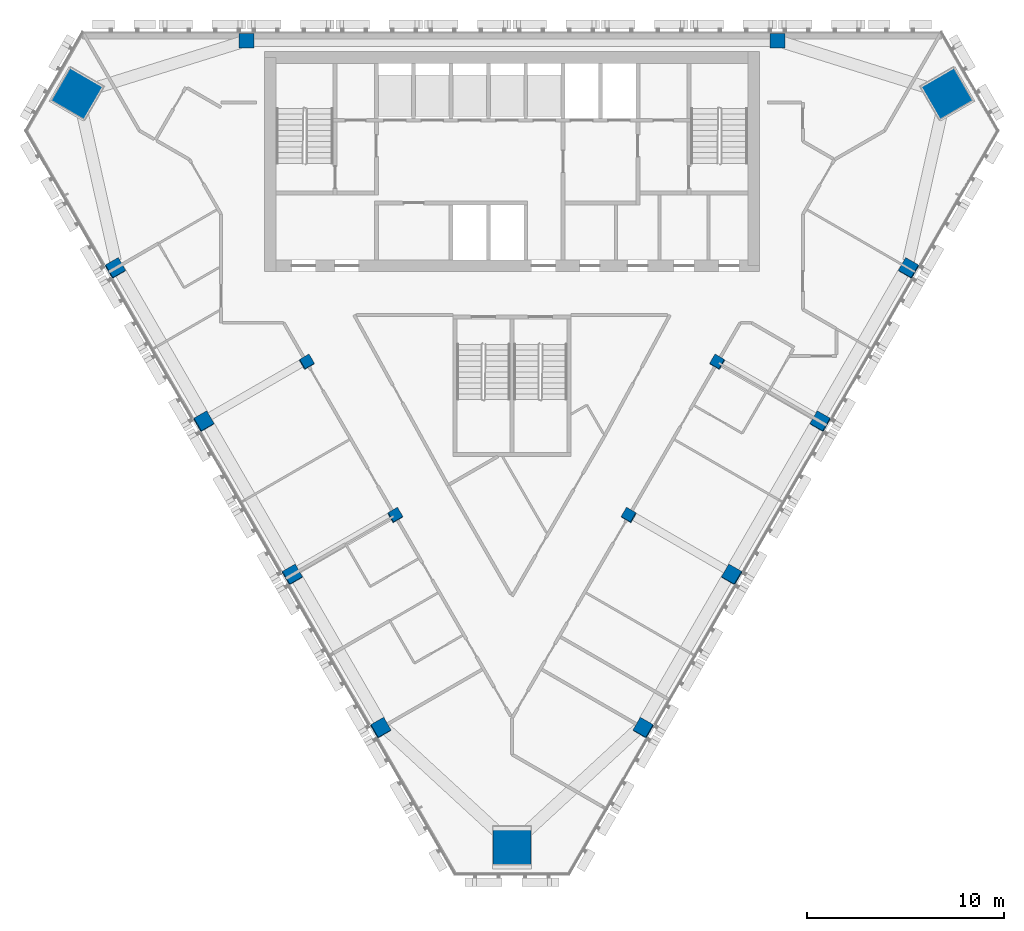
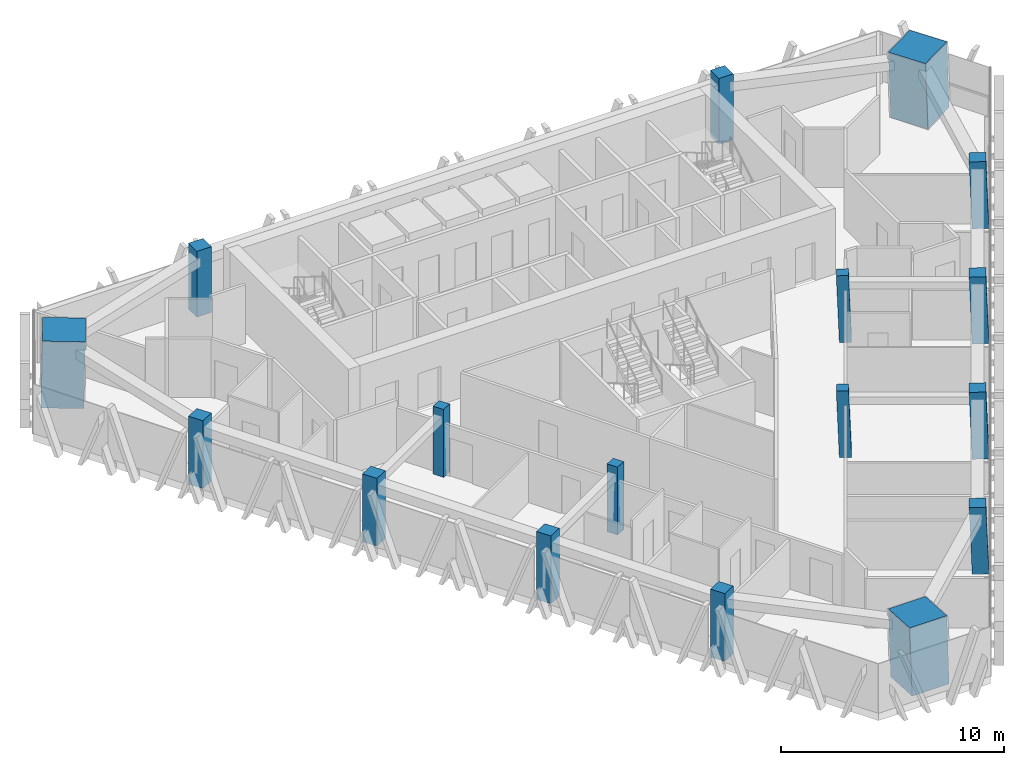
# One storey, part 1 of 14: 17 columns.
"""IFC4 building model written with IfcOpenShell, lengths in metres."""

from ifc_helpers import new_model, si_unit, direction, frame, origin, origin_2d, place, context, subcontext, project, spatial, rectangle, extrude, material, material_profile, profile_set, type_object, element, save


model = new_model("IFC4")

# Units and contexts
model_context = context("Model", 3, precision=1e-05, world=origin(), true_north=direction((0.0, 1.0)))
body_context = subcontext(model_context, "Body", "Model", "MODEL_VIEW")
ifc_project = project(units=[si_unit("LENGTHUNIT", "METRE"), si_unit("AREAUNIT", "SQUARE_METRE"), si_unit("VOLUMEUNIT", "CUBIC_METRE"), si_unit("PLANEANGLEUNIT", "RADIAN"), si_unit("MASSUNIT", "GRAM", prefix="KILO")], contexts=[model_context])

# Site, building, storey
site_placement = place(None, origin())
site = spatial("IfcSite", under=ifc_project, at=site_placement, CompositionType="ELEMENT")
building_placement = place(site_placement, origin())
building = spatial("IfcBuilding", under=site, at=building_placement, Name="Altiplano Prism Tower", CompositionType="ELEMENT")
storey_placement = place(building_placement, frame((0.0, 0.0, 223.0)))
storey = spatial("IfcBuildingStorey", under=building, at=storey_placement, Name="L57", CompositionType="ELEMENT", Elevation=223.0)

# Columns
ifc_material_1 = material(Name="Concrete C60/75", Category="concrete")
ifc_material_profile_1 = material_profile(ifc_material_1, rectangle(XDim=0.550048828125, YDim=0.550048828125, at=origin_2d()), Name="Inner column 550")
ifc_profile_set_1 = profile_set([ifc_material_profile_1], Name="Concrete C60/75")
column_type_1 = type_object("IfcColumnType", Name="Inner column 550", PredefinedType="COLUMN", material=ifc_profile_set_1)
for number, where, z_axis, x_axis, name in (
    (1, (74.54736328125, 88.189453125, -0.0166015625), (0.022155133694, 0.038483534979, 0.999013597298), (-0.864982383472, -0.500326500676, 0.038456065906), "Inner column I12 L57"),
    (2, (79.04736328125, 80.395263671875, -0.0166015625), (0.022155133694, 0.038483534979, 0.999013597298), (-0.864980817296, -0.500329202995, 0.03845613527), "Inner column I13 L57"),
    (3, (90.95263671875, 80.395263671875, -0.0166015625), (-0.022155133694, 0.038483534979, 0.999013597298), (-0.501315604945, -0.864979598699, 0.022202659155), "Inner column I22 L57"),
    (4, (95.45263671875, 88.189453125, -0.0166015625), (-0.022155133694, 0.038483534979, 0.999013597298), (-0.501312902621, -0.864981161793, 0.022202779297), "Inner column I23 L57"),
):
    element("IfcColumn", number, at=place(storey_placement, frame(where, z_axis=z_axis, x_axis=x_axis)), inside=storey, type_object=column_type_1, Name=name, PredefinedType="COLUMN", context=body_context, shape_type="SweptSolid", body=[
        extrude(rectangle(XDim=0.550048828125, YDim=0.550048828125, at=origin_2d()), origin(), (0.0, 0.0, 1.0), 3.603515625),
    ])
ifc_material_2 = material(Name="Concrete C70/85", Category="concrete")
ifc_material_profile_2 = material_profile(ifc_material_2, rectangle(XDim=1.919921875, YDim=1.919921875, at=origin_2d()), Name="Mega column infill 2000")
ifc_profile_set_2 = profile_set([ifc_material_profile_2], Name="Concrete C70/85")
column_type_2 = type_object("IfcColumnType", Name="Mega column infill 2000", PredefinedType="COLUMN", material=ifc_profile_set_2)
column_1_placement = place(storey_placement, frame((62.81982421875, 101.83447265625, 0.0), z_axis=(0.028401814599, 0.009218727412, 0.999554076572), x_axis=(-0.865124501984, 0.501159851198, 0.019959950262)))
element("IfcColumn", 5, at=column_1_placement, inside=storey, type_object=column_type_2, Name="Mega column M0 L57", PredefinedType="COLUMN", context=body_context, shape_type="SweptSolid", body=[
    extrude(rectangle(XDim=1.919921875, YDim=1.919921875, at=origin_2d()), origin(), (0.0, 0.0, 1.0), 3.601806640625),
])
column_2_placement = place(storey_placement, frame((85.0, 63.417236328125, 0.0), z_axis=(0.0, 0.058356907999, 0.998295783467), x_axis=(-1.0, 0.0, 0.0)))
element("IfcColumn", 6, at=column_2_placement, inside=storey, type_object=column_type_2, Name="Mega column M1 L57", PredefinedType="COLUMN", context=body_context, shape_type="SweptSolid", body=[
    extrude(rectangle(XDim=1.919921875, YDim=1.919921875, at=origin_2d()), origin(), (0.0, 0.0, 1.0), 3.606201171875),
])
column_3_placement = place(storey_placement, frame((107.18017578125, 101.83447265625, 0.0), z_axis=(-0.028401814599, 0.009218727412, 0.999554076572), x_axis=(0.500752366939, -0.865305621507, 0.022209196139)))
element("IfcColumn", 7, at=column_3_placement, inside=storey, type_object=column_type_2, Name="Mega column M2 L57", PredefinedType="COLUMN", context=body_context, shape_type="SweptSolid", body=[
    extrude(rectangle(XDim=1.919921875, YDim=1.919921875, at=origin_2d()), origin(), (0.0, 0.0, 1.0), 3.601806640625),
])
ifc_material_profile_3 = material_profile(ifc_material_1, rectangle(XDim=0.75, YDim=0.75, at=origin_2d()), Name="Perimeter column 750")
ifc_profile_set_3 = profile_set([ifc_material_profile_3], Name="Concrete C60/75")
column_type_3 = type_object("IfcColumnType", Name="Perimeter column 750", PredefinedType="COLUMN", material=ifc_profile_set_3)
for number, where, z_axis, x_axis, name in (
    (8, (98.5, 104.550048828125, 0.0), (0.0, 0.0, 1.0), (1.0, 0.0, 0.0), "Perimeter column P01 L57"),
    (9, (71.5, 104.550048828125, 0.0), (0.0, 0.0, 1.0), (1.0, 0.0, 0.0), "Perimeter column P04 L57"),
):
    element("IfcColumn", number, at=place(storey_placement, frame(where, z_axis=z_axis, x_axis=x_axis)), inside=storey, type_object=column_type_3, Name=name, PredefinedType="COLUMN", context=body_context, shape_type="SweptSolid", body=[
        extrude(rectangle(XDim=0.75, YDim=0.75, at=origin_2d()), origin(), (0.0, 0.0, 1.0), 3.60009765625),
    ])
for number, where, z_axis, x_axis, name in (
    (10, (64.8076171875, 92.95849609375, -0.022705078125), (0.022222852987, 0.038483477124, 0.999012095419), (-0.865640504424, -0.499184727526, 0.038485385601), "Perimeter column P11 L57"),
    (11, (69.3076171875, 85.164306640625, -0.022705078125), (0.022222910879, 0.038415824599, 0.999014697916), (-0.866024024967, -0.498522986901, 0.038434616057), "Perimeter column P12 L57"),
    (12, (73.8076171875, 77.3701171875, -0.022705078125), (0.022222910879, 0.038415824599, 0.999014697916), (-0.866022464429, -0.498525692481, 0.038434685383), "Perimeter column P13 L57"),
    (13, (78.3076171875, 69.575927734375, -0.022705078125), (0.022222910879, 0.038415824599, 0.999014697916), (-0.866024016249, -0.498523002016, 0.038434616444), "Perimeter column P14 L57"),
    (14, (91.6923828125, 69.575927734375, -0.022705078125), (-0.022222910879, 0.038415824599, 0.999014697916), (-0.499508303747, -0.866024850037, 0.022190394462), "Perimeter column P21 L57"),
    (15, (96.1923828125, 77.3701171875, -0.022705078125), (-0.022222910879, 0.038415824599, 0.999014697916), (-0.49951099421, -0.866023301278, 0.022190275058), "Perimeter column P22 L57"),
    (16, (100.6923828125, 85.164306640625, -0.022705078125), (-0.022222910879, 0.038415824599, 0.999014697916), (-0.499508288632, -0.866024858738, 0.022190395133), "Perimeter column P23 L57"),
    (17, (105.1923828125, 92.95849609375, -0.022705078125), (-0.022222852987, 0.038483477124, 0.999012095419), (-0.500172632104, -0.865640589271, 0.022219547737), "Perimeter column P24 L57"),
):
    element("IfcColumn", number, at=place(storey_placement, frame(where, z_axis=z_axis, x_axis=x_axis)), inside=storey, type_object=column_type_3, Name=name, PredefinedType="COLUMN", context=body_context, shape_type="SweptSolid", body=[
        extrude(rectangle(XDim=0.75, YDim=0.75, at=origin_2d()), origin(), (0.0, 0.0, 1.0), 3.603515625),
    ])

save(model, "model.ifc")
